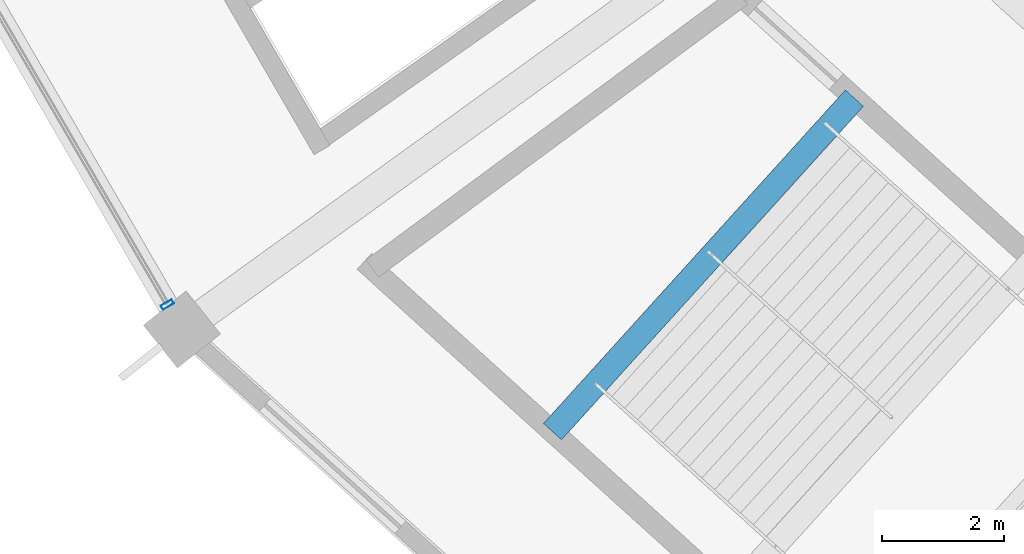
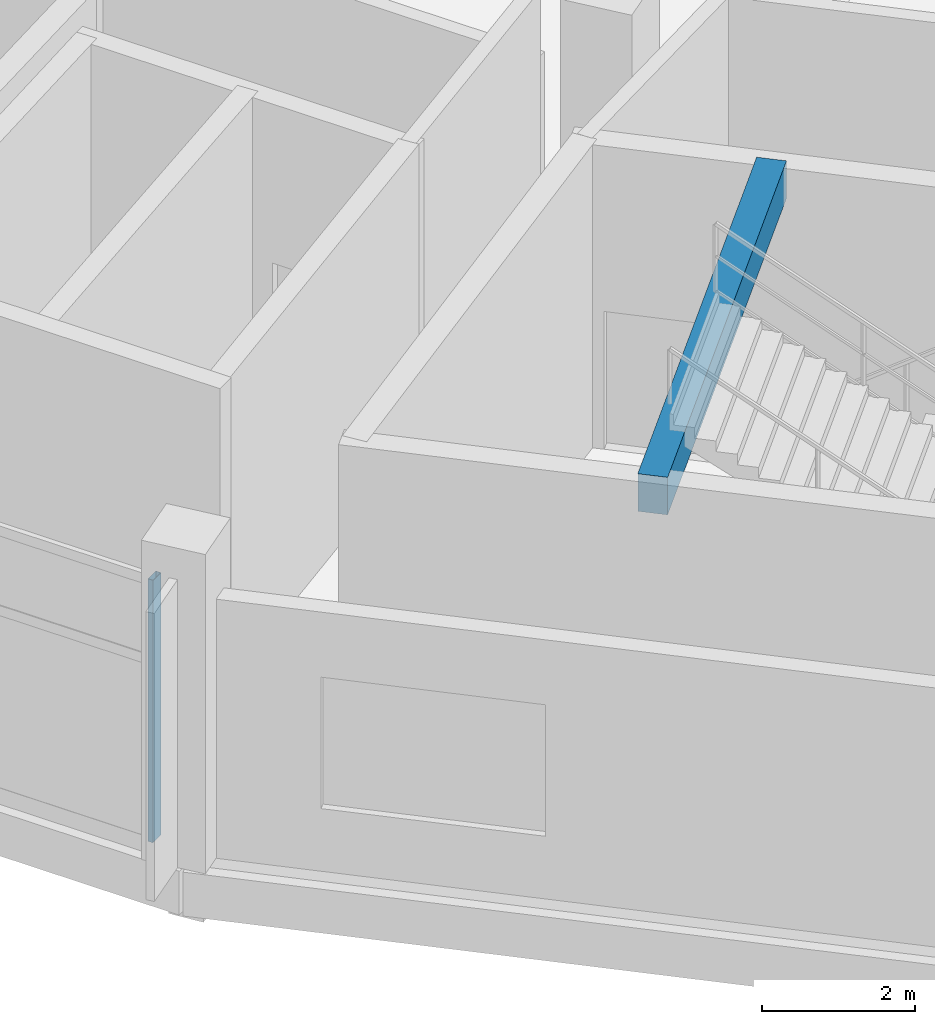
# One storey, part 2 of 184: 1 beam, 1 member, 1 element without a shape of its own.
"""IFC4 building model written with IfcOpenShell, lengths in metres."""

from ifc_helpers import new_model, si_unit, direction, frame, origin, origin_2d, place, context, subcontext, project, spatial, rectangle, hollow_rectangle, extrude, material, layer, layer_set, material_profile, profile_set, type_object, element, aggregate, save


model = new_model("IFC4")

# Units and contexts
model_context = context("Model", 3, precision=1e-05, world=origin(), true_north=direction((0.0, 1.0)))
body_context = subcontext(model_context, "Body", "Model", "MODEL_VIEW")
ifc_project = project(units=[si_unit("LENGTHUNIT", "METRE"), si_unit("AREAUNIT", "SQUARE_METRE"), si_unit("VOLUMEUNIT", "CUBIC_METRE"), si_unit("PLANEANGLEUNIT", "RADIAN"), si_unit("MASSUNIT", "GRAM", prefix="KILO")], contexts=[model_context])

# Site, building, storey
site_placement = place(None, origin())
site = spatial("IfcSite", under=ifc_project, at=site_placement, CompositionType="ELEMENT")
building_placement = place(site_placement, origin())
building = spatial("IfcBuilding", under=site, at=building_placement, Name="Kazemori Nagisa Stadium", CompositionType="ELEMENT")
storey_placement = place(building_placement, frame((0.0, 0.0, 10.5400390625)))
storey = spatial("IfcBuildingStorey", under=building, at=storey_placement, Name="L02", CompositionType="ELEMENT", Elevation=10.5400390625)

# Beam
ifc_material_1 = material(Name="Concrete C40/50 (Fc42)", Category="concrete")
ifc_material_profile_1 = material_profile(ifc_material_1, rectangle(XDim=0.39990234375, YDim=0.60009765625, at=origin_2d()), Name="RC-BM-400x600")
ifc_profile_set_1 = profile_set([ifc_material_profile_1], Name="Concrete C40/50 (Fc42)")
beam_type = type_object("IfcBeamType", Name="Beam_BG-LND400X600", PredefinedType="BEAM", material=ifc_profile_set_1)
beam_placement = place(storey_placement, frame((55.545654296875, 49.1318359375, 4.5400390625), z_axis=(-0.671129682405, -0.741339968837, 0.0), x_axis=(0.741339968837, -0.671129682405, 0.0)))
element("IfcBeam", 1, at=beam_placement, inside=storey, type_object=beam_type, Name="Core stair arrival header girder ST03-L02", PredefinedType="BEAM", context=body_context, shape_type="SweptSolid", body=[
    extrude(rectangle(XDim=0.39990234375, YDim=0.60009765625, at=origin_2d()), origin(), (0.0, 0.0, 1.0), 7.3857421875),
])

# Curtain wall, member
ifc_material_2 = material(Name="Anodised aluminium 6063-T5", Category="aluminium")
ifc_layer = layer(ifc_material_2, 0.2099609375, Name="Anodised aluminium 6063-T5", Category="aluminium")
ifc_layer_set = layer_set([ifc_layer], Name="Anodised aluminium 6063-T5")
curtain_wall_type = type_object("IfcCurtainWallType", Name="CW_L02R3_99", PredefinedType="USERDEFINED", material=ifc_layer_set)
curtain_wall_placement = place(storey_placement, origin())
curtain_wall = element("IfcCurtainWall", 2, at=curtain_wall_placement, inside=storey, type_object=curtain_wall_type, Name="Unitised curtain wall CW-L02R3-99 L02", ObjectType="UNITISED CURTAIN WALL", PredefinedType="USERDEFINED")
ifc_material_3 = material(Name="Aluminium 6063-T5 anodised", Category="aluminium")
ifc_material_profile_2 = material_profile(ifc_material_3, hollow_rectangle(XDim=0.080078125, YDim=0.2099609375, WallThickness=0.0048828125, at=origin_2d()), Name="ALU-MULL-80x210x5")
ifc_profile_set_2 = profile_set([ifc_material_profile_2], Name="Aluminium 6063-T5 anodised")
member_type = type_object("IfcMemberType", Name="Mullion_M02", PredefinedType="MULLION", material=ifc_profile_set_2)
member_placement = place(storey_placement, frame((44.266357421875, 45.7431640625, 0.0), z_axis=(0.0, 0.0, 1.0), x_axis=(0.501611590054, -0.865092950337, 0.0)))
member = element("IfcMember", 3, at=member_placement, type_object=member_type, Name="Curtain wall mullion CW-L02R3-99-M4", PredefinedType="MULLION", context=body_context, shape_type="SweptSolid", body=[
    extrude(hollow_rectangle(XDim=0.080078125, YDim=0.2099609375, WallThickness=0.0048828125, at=origin_2d()), origin(), (0.0, 0.0, 1.0), 4.18994140625),
])
aggregate(curtain_wall, [member])

save(model, "model.ifc")
